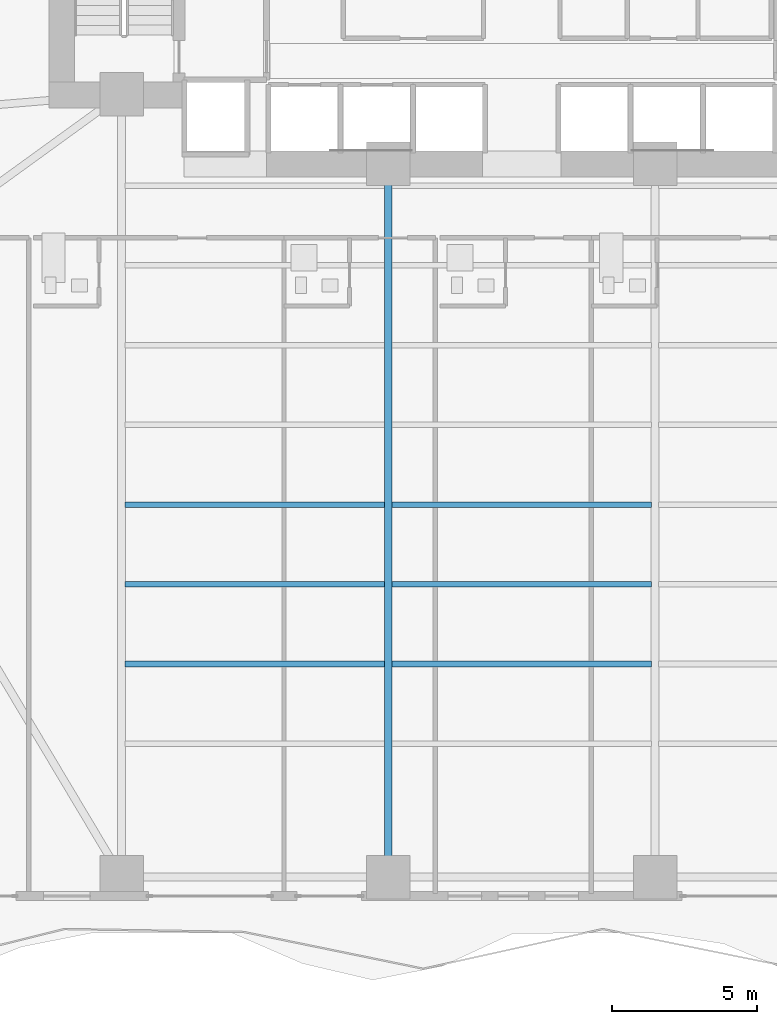
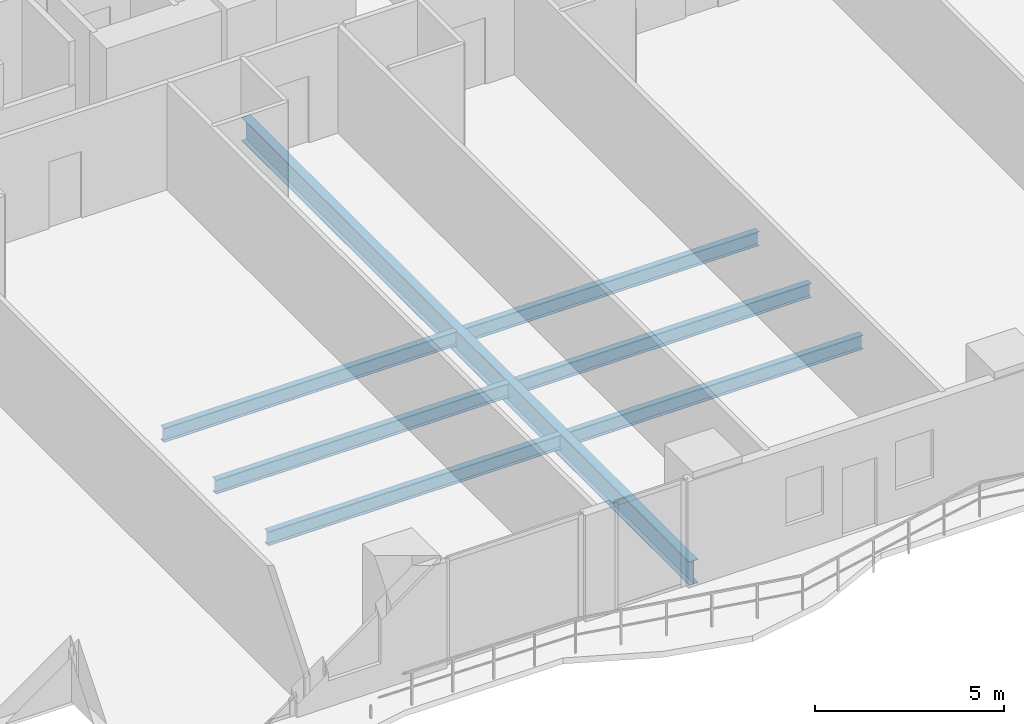
# One storey, part 5 of 29: 7 beams.
"""IFC4 building model written with IfcOpenShell, lengths in metres."""

from ifc_helpers import new_model, si_unit, direction, frame, origin, origin_2d, place, context, subcontext, project, spatial, i_section, extrude, material, material_profile, profile_set, type_object, element, save


model = new_model("IFC4")

# Units and contexts
model_context = context("Model", 3, precision=1e-05, world=origin(), true_north=direction((0.0, 1.0)))
body_context = subcontext(model_context, "Body", "Model", "MODEL_VIEW")
ifc_project = project(units=[si_unit("LENGTHUNIT", "METRE"), si_unit("AREAUNIT", "SQUARE_METRE"), si_unit("VOLUMEUNIT", "CUBIC_METRE"), si_unit("PLANEANGLEUNIT", "RADIAN"), si_unit("MASSUNIT", "GRAM", prefix="KILO")], contexts=[model_context])

# Site, building, storey
site_placement = place(None, origin())
site = spatial("IfcSite", under=ifc_project, at=site_placement, CompositionType="ELEMENT")
building_placement = place(site_placement, origin())
building = spatial("IfcBuilding", under=site, at=building_placement, Name="Zuhayl Quay Hotel", CompositionType="ELEMENT")
storey_placement = place(building_placement, frame((0.0, 0.0, 38.550048828125)))
storey = spatial("IfcBuildingStorey", under=building, at=storey_placement, Name="L08", CompositionType="ELEMENT", Elevation=38.550048828125)

# Beams
ifc_material = material(Name="Steel ASTM A992 Grade 50", Category="steel")
ifc_material_profile_1 = material_profile(ifc_material, i_section(OverallWidth=0.26708984375, OverallDepth=0.761962890625, WebThickness=0.014404296875, FlangeThickness=0.021484375, at=origin_2d()), Name="W30X116")
ifc_profile_set_1 = profile_set([ifc_material_profile_1], Name="Steel ASTM A992 Grade 50")
beam_type_1 = type_object("IfcBeamType", Name="BM_B1_W30X116", PredefinedType="BEAM", material=ifc_profile_set_1)
beam_1_placement = place(storey_placement, frame((-4.60009765625, -21.949951171875, -0.60107421875), z_axis=(0.0, 1.0, 0.0), x_axis=(-1.0, 0.0, 0.0)))
element("IfcBeam", 1, at=beam_1_placement, inside=storey, type_object=beam_type_1, Name="L08 Floor Beam FG_S_L08_2", PredefinedType="BEAM", context=body_context, shape_type="SweptSolid", body=[
    extrude(i_section(OverallWidth=0.26708984375, OverallDepth=0.761962890625, WebThickness=0.014404296875, FlangeThickness=0.021484375, at=origin_2d()), origin(), (0.0, 0.0, 1.0), 23.64990234375),
])
ifc_material_profile_2 = material_profile(ifc_material, i_section(OverallWidth=0.18994140625, OverallDepth=0.45703125, WebThickness=0.009033203125, FlangeThickness=0.014404296875, at=origin_2d()), Name="W18X50")
ifc_profile_set_2 = profile_set([ifc_material_profile_2], Name="Steel ASTM A992 Grade 50")
beam_type_2 = type_object("IfcBeamType", Name="BM_J2_W18X50", PredefinedType="JOIST", material=ifc_profile_set_2)
beam_2_placement = place(storey_placement, frame((-13.674560546875, -15.10009765625, -0.448486328125), z_axis=(1.0, 0.0, 0.0), x_axis=(0.0, 1.0, 0.0)))
element("IfcBeam", 2, at=beam_2_placement, inside=storey, type_object=beam_type_2, Name="L08 Floor Beam FJ_L08_4_1", PredefinedType="JOIST", context=body_context, shape_type="SweptSolid", body=[
    extrude(i_section(OverallWidth=0.18994140625, OverallDepth=0.45703125, WebThickness=0.009033203125, FlangeThickness=0.014404296875, at=origin_2d()), origin(), (0.0, 0.0, 1.0), 8.948974609375),
])
beam_3_placement = place(storey_placement, frame((-4.474609375, -15.10009765625, -0.448486328125), z_axis=(1.0, 0.0, 0.0), x_axis=(0.0, 1.0, 0.0)))
element("IfcBeam", 3, at=beam_3_placement, inside=storey, type_object=beam_type_2, Name="L08 Floor Beam FJ_L08_4_2", PredefinedType="JOIST", context=body_context, shape_type="SweptSolid", body=[
    extrude(i_section(OverallWidth=0.18994140625, OverallDepth=0.45703125, WebThickness=0.009033203125, FlangeThickness=0.014404296875, at=origin_2d()), origin(), (0.0, 0.0, 1.0), 8.94921875),
])
beam_4_placement = place(storey_placement, frame((-13.674560546875, -12.35009765625, -0.448486328125), z_axis=(1.0, 0.0, 0.0), x_axis=(0.0, 1.0, 0.0)))
element("IfcBeam", 4, at=beam_4_placement, inside=storey, type_object=beam_type_2, Name="L08 Floor Beam FJ_L08_5_1", PredefinedType="JOIST", context=body_context, shape_type="SweptSolid", body=[
    extrude(i_section(OverallWidth=0.18994140625, OverallDepth=0.45703125, WebThickness=0.009033203125, FlangeThickness=0.014404296875, at=origin_2d()), origin(), (0.0, 0.0, 1.0), 8.948974609375),
])
beam_5_placement = place(storey_placement, frame((-4.474609375, -12.35009765625, -0.448486328125), z_axis=(1.0, 0.0, 0.0), x_axis=(0.0, 1.0, 0.0)))
element("IfcBeam", 5, at=beam_5_placement, inside=storey, type_object=beam_type_2, Name="L08 Floor Beam FJ_L08_5_2", PredefinedType="JOIST", context=body_context, shape_type="SweptSolid", body=[
    extrude(i_section(OverallWidth=0.18994140625, OverallDepth=0.45703125, WebThickness=0.009033203125, FlangeThickness=0.014404296875, at=origin_2d()), origin(), (0.0, 0.0, 1.0), 8.94921875),
])
beam_6_placement = place(storey_placement, frame((-13.674560546875, -9.60009765625, -0.448486328125), z_axis=(1.0, 0.0, 0.0), x_axis=(0.0, 1.0, 0.0)))
element("IfcBeam", 6, at=beam_6_placement, inside=storey, type_object=beam_type_2, Name="L08 Floor Beam FJ_L08_6_1", PredefinedType="JOIST", context=body_context, shape_type="SweptSolid", body=[
    extrude(i_section(OverallWidth=0.18994140625, OverallDepth=0.45703125, WebThickness=0.009033203125, FlangeThickness=0.014404296875, at=origin_2d()), origin(), (0.0, 0.0, 1.0), 8.948974609375),
])
beam_7_placement = place(storey_placement, frame((-4.474609375, -9.60009765625, -0.448486328125), z_axis=(1.0, 0.0, 0.0), x_axis=(0.0, 1.0, 0.0)))
element("IfcBeam", 7, at=beam_7_placement, inside=storey, type_object=beam_type_2, Name="L08 Floor Beam FJ_L08_6_2", PredefinedType="JOIST", context=body_context, shape_type="SweptSolid", body=[
    extrude(i_section(OverallWidth=0.18994140625, OverallDepth=0.45703125, WebThickness=0.009033203125, FlangeThickness=0.014404296875, at=origin_2d()), origin(), (0.0, 0.0, 1.0), 8.94921875),
])

save(model, "model.ifc")
